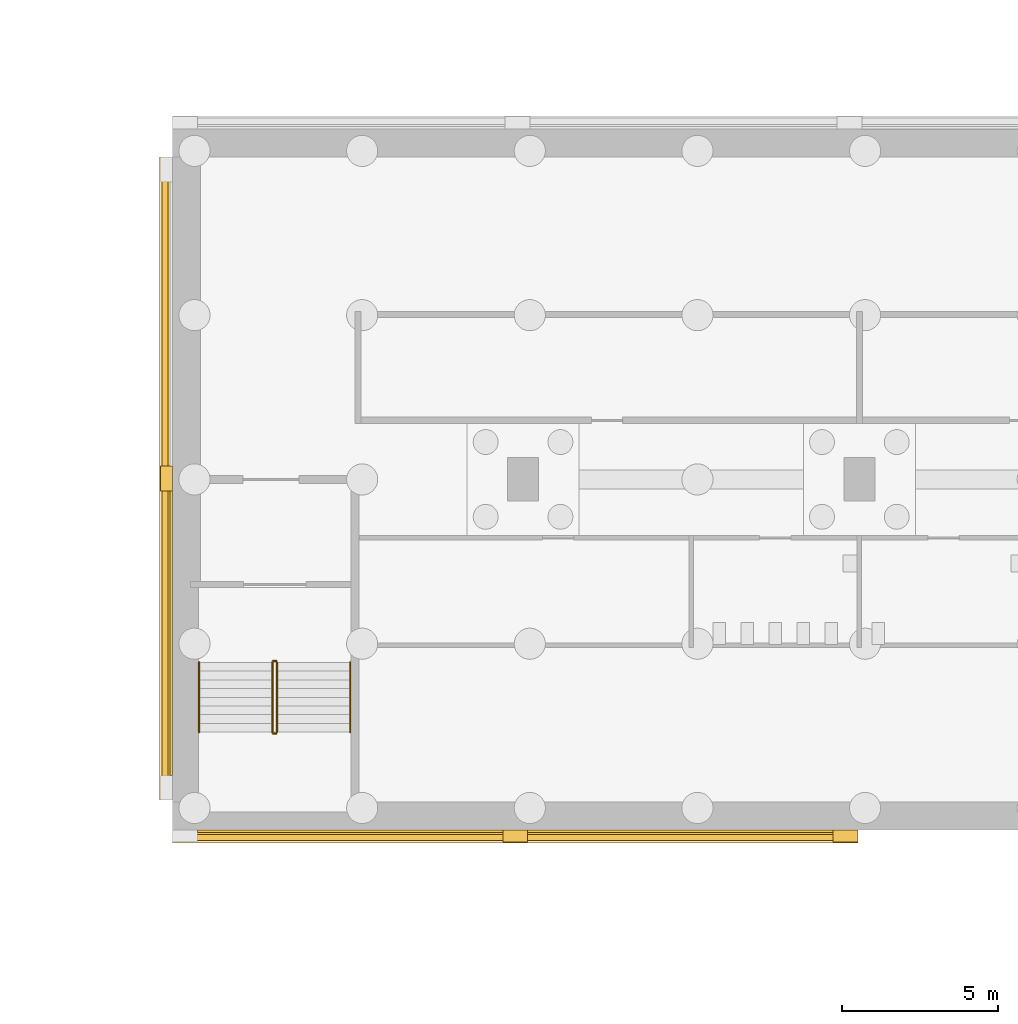
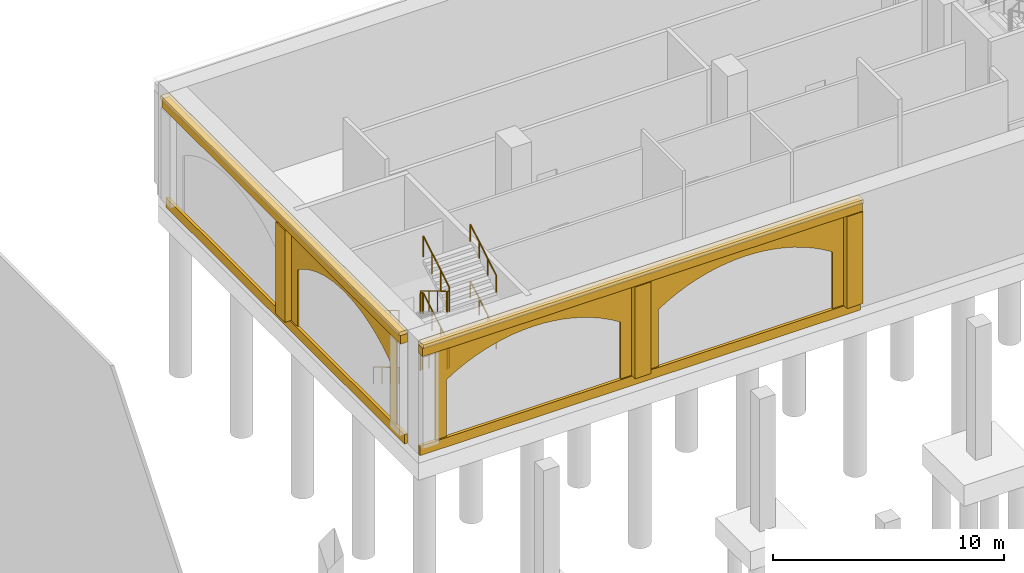
# One storey, part 30 of 39: 12 coverings, 12 railings.
"""IFC4 building model written with IfcOpenShell, lengths in metres."""

from ifc_helpers import new_model, si_unit, direction, frame, origin, origin_2d, place, context, subcontext, project, spatial, polyline, rectangle, circle, outline, extrude, material, layer, layer_set, type_object, element, save


model = new_model("IFC4")

# Units and contexts
model_context = context("Model", 3, precision=1e-05, world=origin(), true_north=direction((0.0, 1.0)))
body_context = subcontext(model_context, "Body", "Model", "MODEL_VIEW")
ifc_project = project(units=[si_unit("LENGTHUNIT", "METRE"), si_unit("AREAUNIT", "SQUARE_METRE"), si_unit("VOLUMEUNIT", "CUBIC_METRE"), si_unit("PLANEANGLEUNIT", "RADIAN"), si_unit("MASSUNIT", "GRAM", prefix="KILO")], contexts=[model_context])

# Site, building, storey
site_placement = place(None, origin())
site = spatial("IfcSite", under=ifc_project, at=site_placement, CompositionType="ELEMENT")
building_placement = place(site_placement, origin())
building = spatial("IfcBuilding", under=site, at=building_placement, Name="Magnolia Steps Interchange", CompositionType="ELEMENT")
storey_placement = place(building_placement, frame((0.0, 0.0, -11.39990234375)))
storey = spatial("IfcBuildingStorey", under=building, at=storey_placement, Name="B2", CompositionType="ELEMENT", Elevation=-11.39990234375)

# Coverings
ifc_material_1 = material(Name="Lime render")
ifc_layer_1 = layer(ifc_material_1, 0.080078125)
ifc_layer_set_1 = layer_set([ifc_layer_1], Name="Lime render arch infill")
covering_type_1 = type_object("IfcCoveringType", Name="Lime render arch infill", PredefinedType="CLADDING", material=ifc_layer_set_1)
covering_1_placement = place(storey_placement, frame((21.14990234375, 52.75, 0.5), z_axis=(0.0, 1.0, 0.0), x_axis=(0.0, 0.0, 1.0)))
element("IfcCovering", 1, at=covering_1_placement, inside=storey, type_object=covering_type_1, Name="Blind arch metro box wall 1.1", PredefinedType="CLADDING", context=body_context, shape_type="SweptSolid", body=[
    extrude(outline(polyline([(0.0, 0.0), (4.849853516, 0.0), (4.849853516, 9.800048828), (0.0, 9.800048828), (0.0, 9.25), (3.0, 9.25), (3.29296875, 8.766845703), (3.541748047, 8.283447266), (3.750488281, 7.800048828), (3.922607422, 7.316894531), (4.060546875, 6.833496094), (4.166259766, 6.350097656), (4.240722656, 5.866699219), (4.28515625, 5.383300781), (4.299804688, 4.900146484), (4.28515625, 4.416748047), (4.240722656, 3.933349609), (4.166259766, 3.450195312), (4.060546875, 2.966796875), (3.922607422, 2.483398438), (3.750488281, 2.0), (3.541748047, 1.516845703), (3.29296875, 1.033447266), (3.0, 0.550048828), (0.0, 0.550048828), (0.0, 0.0)])), origin(), (0.0, 0.0, -1.0), 0.080078125),
])
covering_2_placement = place(storey_placement, frame((31.75, 52.75, 0.5), z_axis=(0.0, 1.0, 0.0), x_axis=(0.0, 0.0, 1.0)))
element("IfcCovering", 2, at=covering_2_placement, inside=storey, type_object=covering_type_1, Name="Blind arch metro box wall 1.2", PredefinedType="CLADDING", context=body_context, shape_type="SweptSolid", body=[
    extrude(outline(polyline([(0.0, 0.0), (4.849853516, 0.0), (4.849853516, 9.800048828), (0.0, 9.800048828), (0.0, 9.25), (3.0, 9.25), (3.29296875, 8.766601562), (3.541748047, 8.283203125), (3.750488281, 7.800048828), (3.922607422, 7.316650391), (4.060546875, 6.833251953), (4.166259766, 6.350097656), (4.240722656, 5.866699219), (4.28515625, 5.383300781), (4.299804688, 4.899902344), (4.28515625, 4.416748047), (4.240722656, 3.933349609), (4.166259766, 3.449951172), (4.060546875, 2.966796875), (3.922607422, 2.483398438), (3.750488281, 2.0), (3.541748047, 1.516601562), (3.29296875, 1.033203125), (3.0, 0.550048828), (0.0, 0.550048828), (0.0, 0.0)])), origin(), (0.0, 0.0, -1.0), 0.080078125),
])
covering_3_placement = place(storey_placement, frame((20.35009765625, 55.050048828125, 0.5), z_axis=(1.0, 0.0, 0.0), x_axis=(0.0, 0.0, 1.0)))
element("IfcCovering", 3, at=covering_3_placement, inside=storey, type_object=covering_type_1, Name="Blind arch metro box wall 1.1", PredefinedType="CLADDING", context=body_context, shape_type="SweptSolid", body=[
    extrude(outline(polyline([(0.0, 0.0), (3.0, 0.0), (3.296875, -0.445800781), (3.546630859, -0.891601562), (3.755371094, -1.337402344), (3.926513672, -1.783203125), (4.063476562, -2.229248047), (4.16796875, -2.675048828), (4.241699219, -3.120849609), (4.285400391, -3.566650391), (4.299804688, -4.012451172), (4.285400391, -4.458251953), (4.241699219, -4.904052734), (4.16796875, -5.349853516), (4.063476562, -5.795654297), (3.926513672, -6.241699219), (3.755371094, -6.6875), (3.546630859, -7.133300781), (3.296875, -7.579101562), (3.0, -8.024902344), (0.0, -8.024902344), (0.0, -8.574951172), (4.849853516, -8.574951172), (4.849853516, 0.550048828), (0.0, 0.550048828), (0.0, 0.0)])), origin(), (0.0, 0.0, -1.0), 0.080078125),
])
ifc_material_2 = material(Name="Lime render")
ifc_layer_2 = layer(ifc_material_2, 0.1201171875)
ifc_layer_set_2 = layer_set([ifc_layer_2], Name="Lime render band")
covering_type_2 = type_object("IfcCoveringType", Name="Lime render band", PredefinedType="CLADDING", material=ifc_layer_set_2)
covering_4_placement = place(storey_placement, frame((31.35009765625, 52.675048828125, 0.0), z_axis=(0.0, 0.0, 1.0), x_axis=(1.0, 0.0, 0.0)))
element("IfcCovering", 4, at=covering_4_placement, inside=storey, type_object=covering_type_2, Name="Plinth course metro box wall 1", PredefinedType="CLADDING", context=body_context, shape_type="SweptSolid", body=[
    extrude(rectangle(XDim=22.0, YDim=0.14990234375, at=origin_2d()), origin(), (0.0, 0.0, 1.0), 0.5),
])
covering_5_placement = place(storey_placement, frame((31.35009765625, 52.574951171875, 5.35009765625), z_axis=(0.0, 0.0, 1.0), x_axis=(1.0, 0.0, 0.0)))
element("IfcCovering", 5, at=covering_5_placement, inside=storey, type_object=covering_type_2, Name="Cornice metro box wall 1", PredefinedType="CLADDING", context=body_context, shape_type="SweptSolid", body=[
    extrude(rectangle(XDim=22.0, YDim=0.35009765625, at=origin_2d()), origin(), (0.0, 0.0, 1.0), 0.449951171875),
])
covering_6_placement = place(storey_placement, frame((31.35009765625, 52.5400390625, 5.7998046875), z_axis=(0.0, 0.0, 1.0), x_axis=(1.0, 0.0, 0.0)))
element("IfcCovering", 6, at=covering_6_placement, inside=storey, type_object=covering_type_2, Name="Coping metro box wall 1", PredefinedType="CLADDING", context=body_context, shape_type="SweptSolid", body=[
    extrude(rectangle(XDim=22.0, YDim=0.419921875, at=origin_2d()), origin(), (0.0, 0.0, 1.0), 0.199951171875),
])
covering_7_placement = place(storey_placement, frame((20.27490234375, 64.02490234375, 0.0), z_axis=(0.0, 0.0, 1.0), x_axis=(1.0, 0.0, 0.0)))
element("IfcCovering", 7, at=covering_7_placement, inside=storey, type_object=covering_type_2, Name="Plinth course metro box wall 1", PredefinedType="CLADDING", context=body_context, shape_type="SweptSolid", body=[
    extrude(rectangle(XDim=0.14990234375, YDim=20.64990234375, at=origin_2d()), origin(), (0.0, 0.0, 1.0), 0.5),
])
covering_8_placement = place(storey_placement, frame((20.175048828125, 64.02490234375, 5.35009765625), z_axis=(0.0, 0.0, 1.0), x_axis=(1.0, 0.0, 0.0)))
element("IfcCovering", 8, at=covering_8_placement, inside=storey, type_object=covering_type_2, Name="Cornice metro box wall 1", PredefinedType="CLADDING", context=body_context, shape_type="SweptSolid", body=[
    extrude(rectangle(XDim=0.35009765625, YDim=20.64990234375, at=origin_2d()), origin(), (0.0, 0.0, 1.0), 0.449951171875),
])
covering_9_placement = place(storey_placement, frame((20.139892578125, 64.02490234375, 5.7998046875), z_axis=(0.0, 0.0, 1.0), x_axis=(1.0, 0.0, 0.0)))
element("IfcCovering", 9, at=covering_9_placement, inside=storey, type_object=covering_type_2, Name="Coping metro box wall 1", PredefinedType="CLADDING", context=body_context, shape_type="SweptSolid", body=[
    extrude(rectangle(XDim=0.419921875, YDim=20.64990234375, at=origin_2d()), origin(), (0.0, 0.0, 1.0), 0.199951171875),
])
ifc_material_3 = material(Name="Lime render")
ifc_layer_3 = layer(ifc_material_3, 0.39990234375)
ifc_layer_set_3 = layer_set([ifc_layer_3], Name="Lime render pilaster")
covering_type_3 = type_object("IfcCoveringType", Name="Lime render pilaster", PredefinedType="CLADDING", material=ifc_layer_set_3)
for number, where, z_axis, x_axis, name in (
    (10, (31.35009765625, 52.550048828125, 0.499755859375), (0.0, 0.0, 1.0), (1.0, 0.0, 0.0), "Pilaster metro box wall 1.2"),
    (11, (41.949951171875, 52.550048828125, 0.499755859375), (0.0, 0.0, 1.0), (1.0, 0.0, 0.0), "Pilaster metro box wall 1.3"),
):
    element("IfcCovering", number, at=place(storey_placement, frame(where, z_axis=z_axis, x_axis=x_axis)), inside=storey, type_object=covering_type_3, Name=name, PredefinedType="CLADDING", context=body_context, shape_type="SweptSolid", body=[
        extrude(rectangle(XDim=0.800048828125, YDim=0.39990234375, at=origin_2d()), origin(), (0.0, 0.0, 1.0), 4.85009765625),
    ])
covering_10_placement = place(storey_placement, frame((20.14990234375, 64.02490234375, 0.499755859375), z_axis=(0.0, 0.0, 1.0), x_axis=(1.0, 0.0, 0.0)))
element("IfcCovering", 12, at=covering_10_placement, inside=storey, type_object=covering_type_3, Name="Pilaster metro box wall 1.2", PredefinedType="CLADDING", context=body_context, shape_type="SweptSolid", body=[
    extrude(rectangle(XDim=0.39990234375, YDim=0.800048828125, at=origin_2d()), origin(), (0.0, 0.0, 1.0), 4.85009765625),
])

# Railings
ifc_material_4 = material(Name="Stainless steel grade 304", Category="steel")
railing_type_1 = type_object("IfcRailingType", Name="Stair guard 1100", PredefinedType="GUARDRAIL", material=ifc_material_4)
railing_1_placement = place(storey_placement, frame((23.551025390625, 58.125, 0.16650390625)))
element("IfcRailing", 13, at=railing_1_placement, inside=storey, type_object=railing_type_1, Name="B2 ST15 stair guard 1", PredefinedType="GUARDRAIL", context=body_context, shape_type="SweptSolid", body=[
    extrude(circle(Radius=0.02392578125, at=origin_2d()), frame((0.0, 0.0, 1.076171875), z_axis=(0.0, -0.859264461869, 0.511531606619), x_axis=(1.0, 0.0, 0.0)), (0.0, 0.0, 1.0), 2.60693359375),
    extrude(circle(Radius=0.02099609375, at=origin_2d()), origin(), (0.0, 0.0, 1.0), 1.052001953125),
    extrude(circle(Radius=0.02099609375, at=origin_2d()), frame((0.0, -0.74658203125, 0.444580078125)), (0.0, 0.0, 1.0), 1.052001953125),
    extrude(circle(Radius=0.02099609375, at=origin_2d()), frame((0.0, -1.493408203125, 0.888916015625)), (0.0, 0.0, 1.0), 1.052001953125),
    extrude(circle(Radius=0.02099609375, at=origin_2d()), frame((0.0, -2.239990234375, 1.33349609375)), (0.0, 0.0, 1.0), 1.052001953125),
])
railing_2_placement = place(storey_placement, frame((23.574951171875, 55.8349609375, 1.5)))
element("IfcRailing", 14, at=railing_2_placement, inside=storey, type_object=railing_type_1, Name="B2 ST15 stair guard 2", PredefinedType="GUARDRAIL", context=body_context, shape_type="SweptSolid", body=[
    extrude(circle(Radius=0.02392578125, at=origin_2d()), frame((0.0, 0.0, 1.076171875), z_axis=(1.0, 0.0, 0.0), x_axis=(0.0, 1.0, 0.0)), (0.0, 0.0, 1.0), 0.10009765625),
    extrude(circle(Radius=0.02099609375, at=origin_2d()), origin(), (0.0, 0.0, 1.0), 1.052001953125),
    extrude(circle(Radius=0.02099609375, at=origin_2d()), frame((0.10009765625, 0.0, 0.0)), (0.0, 0.0, 1.0), 1.052001953125),
])
railing_3_placement = place(storey_placement, frame((23.698974609375, 55.885009765625, 1.66650390625)))
element("IfcRailing", 15, at=railing_3_placement, inside=storey, type_object=railing_type_1, Name="B2 ST15 stair guard 3", PredefinedType="GUARDRAIL", context=body_context, shape_type="SweptSolid", body=[
    extrude(circle(Radius=0.02392578125, at=origin_2d()), frame((0.0, 0.0, 1.076171875), z_axis=(0.0, 0.859264461869, 0.511531606619), x_axis=(-1.0, 0.0, 0.0)), (0.0, 0.0, 1.0), 2.60693359375),
    extrude(circle(Radius=0.02099609375, at=origin_2d()), origin(), (0.0, 0.0, 1.0), 1.052001953125),
    extrude(circle(Radius=0.02099609375, at=origin_2d()), frame((0.0, 0.74658203125, 0.444580078125)), (0.0, 0.0, 1.0), 1.052001953125),
    extrude(circle(Radius=0.02099609375, at=origin_2d()), frame((0.0, 1.493408203125, 0.888916015625)), (0.0, 0.0, 1.0), 1.052001953125),
    extrude(circle(Radius=0.02099609375, at=origin_2d()), frame((0.0, 2.239990234375, 1.33349609375)), (0.0, 0.0, 1.0), 1.052001953125),
])
railing_4_placement = place(storey_placement, frame((23.574951171875, 58.175048828125, 3.0)))
element("IfcRailing", 16, at=railing_4_placement, inside=storey, type_object=railing_type_1, Name="B2 ST15 stair guard 4", PredefinedType="GUARDRAIL", context=body_context, shape_type="SweptSolid", body=[
    extrude(circle(Radius=0.02392578125, at=origin_2d()), frame((0.0, 0.0, 1.076171875), z_axis=(1.0, 0.0, 0.0), x_axis=(0.0, 1.0, 0.0)), (0.0, 0.0, 1.0), 0.10009765625),
    extrude(circle(Radius=0.02099609375, at=origin_2d()), origin(), (0.0, 0.0, 1.0), 1.052001953125),
    extrude(circle(Radius=0.02099609375, at=origin_2d()), frame((0.10009765625, 0.0, 0.0)), (0.0, 0.0, 1.0), 1.052001953125),
])
railing_5_placement = place(storey_placement, frame((23.551025390625, 58.125, 3.16650390625)))
element("IfcRailing", 17, at=railing_5_placement, inside=storey, type_object=railing_type_1, Name="B2 ST15 stair guard 5", PredefinedType="GUARDRAIL", context=body_context, shape_type="SweptSolid", body=[
    extrude(circle(Radius=0.02392578125, at=origin_2d()), frame((0.0, 0.0, 1.076171875), z_axis=(0.0, -0.859264461869, 0.511531606619), x_axis=(1.0, 0.0, 0.0)), (0.0, 0.0, 1.0), 2.60693359375),
    extrude(circle(Radius=0.02099609375, at=origin_2d()), origin(), (0.0, 0.0, 1.0), 1.052001953125),
    extrude(circle(Radius=0.02099609375, at=origin_2d()), frame((0.0, -0.74658203125, 0.444580078125)), (0.0, 0.0, 1.0), 1.052001953125),
    extrude(circle(Radius=0.02099609375, at=origin_2d()), frame((0.0, -1.493408203125, 0.888916015625)), (0.0, 0.0, 1.0), 1.052001953125),
    extrude(circle(Radius=0.02099609375, at=origin_2d()), frame((0.0, -2.239990234375, 1.33349609375)), (0.0, 0.0, 1.0), 1.052001953125),
])
railing_6_placement = place(storey_placement, frame((23.574951171875, 55.8349609375, 4.5)))
element("IfcRailing", 18, at=railing_6_placement, inside=storey, type_object=railing_type_1, Name="B2 ST15 stair guard 6", PredefinedType="GUARDRAIL", context=body_context, shape_type="SweptSolid", body=[
    extrude(circle(Radius=0.02392578125, at=origin_2d()), frame((0.0, 0.0, 1.076171875), z_axis=(1.0, 0.0, 0.0), x_axis=(0.0, 1.0, 0.0)), (0.0, 0.0, 1.0), 0.10009765625),
    extrude(circle(Radius=0.02099609375, at=origin_2d()), origin(), (0.0, 0.0, 1.0), 1.052001953125),
    extrude(circle(Radius=0.02099609375, at=origin_2d()), frame((0.10009765625, 0.0, 0.0)), (0.0, 0.0, 1.0), 1.052001953125),
])
railing_7_placement = place(storey_placement, frame((23.698974609375, 55.885009765625, 4.66650390625)))
element("IfcRailing", 19, at=railing_7_placement, inside=storey, type_object=railing_type_1, Name="B2 ST15 stair guard 7", PredefinedType="GUARDRAIL", context=body_context, shape_type="SweptSolid", body=[
    extrude(circle(Radius=0.02392578125, at=origin_2d()), frame((0.0, 0.0, 1.076171875), z_axis=(0.0, 0.859264461869, 0.511531606619), x_axis=(-1.0, 0.0, 0.0)), (0.0, 0.0, 1.0), 2.60693359375),
    extrude(circle(Radius=0.02099609375, at=origin_2d()), origin(), (0.0, 0.0, 1.0), 1.052001953125),
    extrude(circle(Radius=0.02099609375, at=origin_2d()), frame((0.0, 0.74658203125, 0.444580078125)), (0.0, 0.0, 1.0), 1.052001953125),
    extrude(circle(Radius=0.02099609375, at=origin_2d()), frame((0.0, 1.493408203125, 0.888916015625)), (0.0, 0.0, 1.0), 1.052001953125),
    extrude(circle(Radius=0.02099609375, at=origin_2d()), frame((0.0, 2.239990234375, 1.33349609375)), (0.0, 0.0, 1.0), 1.052001953125),
])
railing_8_placement = place(storey_placement, frame((23.574951171875, 58.175048828125, 0.0)))
element("IfcRailing", 20, at=railing_8_placement, inside=storey, type_object=railing_type_1, Name="B2 ST15 stair guard 8", PredefinedType="GUARDRAIL", context=body_context, shape_type="SweptSolid", body=[
    extrude(circle(Radius=0.02392578125, at=origin_2d()), frame((0.0, 0.0, 1.076171875), z_axis=(1.0, 0.0, 0.0), x_axis=(0.0, 1.0, 0.0)), (0.0, 0.0, 1.0), 0.10009765625),
    extrude(circle(Radius=0.02099609375, at=origin_2d()), origin(), (0.0, 0.0, 1.0), 1.052001953125),
    extrude(circle(Radius=0.02099609375, at=origin_2d()), frame((0.10009765625, 0.0, 0.0)), (0.0, 0.0, 1.0), 1.052001953125),
])
ifc_material_5 = material(Name="Stainless steel grade 304", Category="steel")
railing_type_2 = type_object("IfcRailingType", Name="Stair handrail 900", PredefinedType="HANDRAIL", material=ifc_material_5)
railing_9_placement = place(storey_placement, frame((21.198974609375, 58.125, 0.16650390625)))
element("IfcRailing", 21, at=railing_9_placement, inside=storey, type_object=railing_type_2, Name="B2 ST15 stair handrail 1", PredefinedType="HANDRAIL", context=body_context, shape_type="SweptSolid", body=[
    extrude(circle(Radius=0.02392578125, at=origin_2d()), frame((0.0, 0.0, 0.8759765625), z_axis=(0.0, -0.859264461869, 0.511531606619), x_axis=(1.0, 0.0, 0.0)), (0.0, 0.0, 1.0), 2.60693359375),
    extrude(circle(Radius=0.02099609375, at=origin_2d()), origin(), (0.0, 0.0, 1.0), 0.851806640625),
    extrude(circle(Radius=0.02099609375, at=origin_2d()), frame((0.0, -0.74658203125, 0.444580078125)), (0.0, 0.0, 1.0), 0.851806640625),
    extrude(circle(Radius=0.02099609375, at=origin_2d()), frame((0.0, -1.493408203125, 0.888916015625)), (0.0, 0.0, 1.0), 0.851806640625),
    extrude(circle(Radius=0.02099609375, at=origin_2d()), frame((0.0, -2.239990234375, 1.33349609375)), (0.0, 0.0, 1.0), 0.851806640625),
])
railing_10_placement = place(storey_placement, frame((26.051025390625, 55.885009765625, 1.66650390625)))
element("IfcRailing", 22, at=railing_10_placement, inside=storey, type_object=railing_type_2, Name="B2 ST15 stair handrail 2", PredefinedType="HANDRAIL", context=body_context, shape_type="SweptSolid", body=[
    extrude(circle(Radius=0.02392578125, at=origin_2d()), frame((0.0, 0.0, 0.8759765625), z_axis=(0.0, 0.859264461869, 0.511531606619), x_axis=(-1.0, 0.0, 0.0)), (0.0, 0.0, 1.0), 2.60693359375),
    extrude(circle(Radius=0.02099609375, at=origin_2d()), origin(), (0.0, 0.0, 1.0), 0.851806640625),
    extrude(circle(Radius=0.02099609375, at=origin_2d()), frame((0.0, 0.74658203125, 0.444580078125)), (0.0, 0.0, 1.0), 0.851806640625),
    extrude(circle(Radius=0.02099609375, at=origin_2d()), frame((0.0, 1.493408203125, 0.888916015625)), (0.0, 0.0, 1.0), 0.851806640625),
    extrude(circle(Radius=0.02099609375, at=origin_2d()), frame((0.0, 2.239990234375, 1.33349609375)), (0.0, 0.0, 1.0), 0.851806640625),
])
railing_11_placement = place(storey_placement, frame((21.198974609375, 58.125, 3.16650390625)))
element("IfcRailing", 23, at=railing_11_placement, inside=storey, type_object=railing_type_2, Name="B2 ST15 stair handrail 3", PredefinedType="HANDRAIL", context=body_context, shape_type="SweptSolid", body=[
    extrude(circle(Radius=0.02392578125, at=origin_2d()), frame((0.0, 0.0, 0.8759765625), z_axis=(0.0, -0.859264461869, 0.511531606619), x_axis=(1.0, 0.0, 0.0)), (0.0, 0.0, 1.0), 2.60693359375),
    extrude(circle(Radius=0.02099609375, at=origin_2d()), origin(), (0.0, 0.0, 1.0), 0.851806640625),
    extrude(circle(Radius=0.02099609375, at=origin_2d()), frame((0.0, -0.74658203125, 0.444580078125)), (0.0, 0.0, 1.0), 0.851806640625),
    extrude(circle(Radius=0.02099609375, at=origin_2d()), frame((0.0, -1.493408203125, 0.888916015625)), (0.0, 0.0, 1.0), 0.851806640625),
    extrude(circle(Radius=0.02099609375, at=origin_2d()), frame((0.0, -2.239990234375, 1.33349609375)), (0.0, 0.0, 1.0), 0.851806640625),
])
railing_12_placement = place(storey_placement, frame((26.051025390625, 55.885009765625, 4.66650390625)))
element("IfcRailing", 24, at=railing_12_placement, inside=storey, type_object=railing_type_2, Name="B2 ST15 stair handrail 4", PredefinedType="HANDRAIL", context=body_context, shape_type="SweptSolid", body=[
    extrude(circle(Radius=0.02392578125, at=origin_2d()), frame((0.0, 0.0, 0.8759765625), z_axis=(0.0, 0.859264461869, 0.511531606619), x_axis=(-1.0, 0.0, 0.0)), (0.0, 0.0, 1.0), 2.60693359375),
    extrude(circle(Radius=0.02099609375, at=origin_2d()), origin(), (0.0, 0.0, 1.0), 0.851806640625),
    extrude(circle(Radius=0.02099609375, at=origin_2d()), frame((0.0, 0.74658203125, 0.444580078125)), (0.0, 0.0, 1.0), 0.851806640625),
    extrude(circle(Radius=0.02099609375, at=origin_2d()), frame((0.0, 1.493408203125, 0.888916015625)), (0.0, 0.0, 1.0), 0.851806640625),
    extrude(circle(Radius=0.02099609375, at=origin_2d()), frame((0.0, 2.239990234375, 1.33349609375)), (0.0, 0.0, 1.0), 0.851806640625),
])

save(model, "model.ifc")
